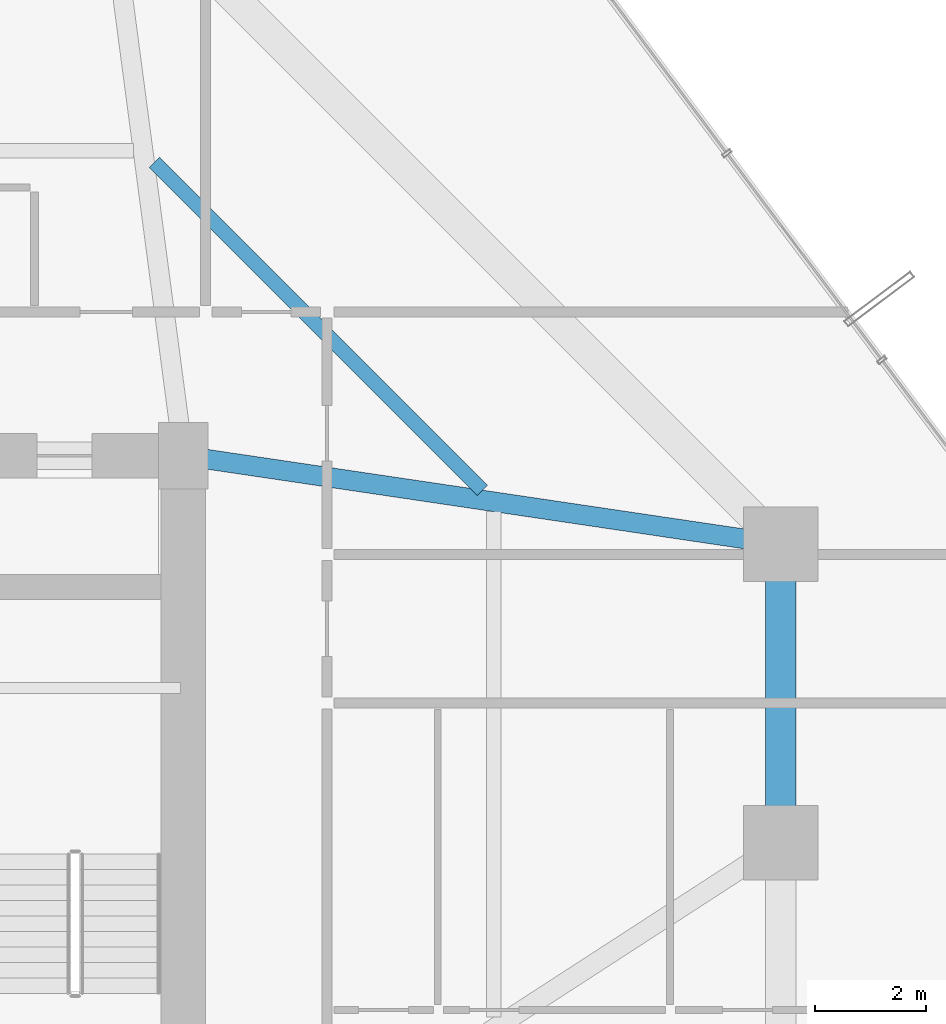
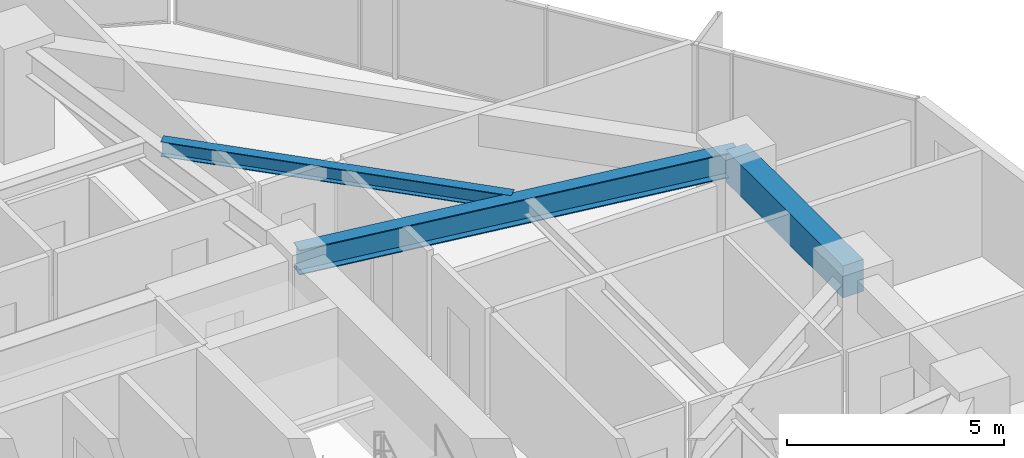
# One storey, part 19 of 37: 3 beams.
"""IFC4 building model written with IfcOpenShell, lengths in metres."""

from ifc_helpers import new_model, si_unit, direction, frame, origin, origin_2d, place, context, subcontext, project, spatial, rectangle, i_section, extrude, material, material_profile, profile_set, type_object, element, save


model = new_model("IFC4")

# Units and contexts
model_context = context("Model", 3, precision=1e-05, world=origin(), true_north=direction((0.0, 1.0)))
body_context = subcontext(model_context, "Body", "Model", "MODEL_VIEW")
ifc_project = project(units=[si_unit("LENGTHUNIT", "METRE"), si_unit("AREAUNIT", "SQUARE_METRE"), si_unit("VOLUMEUNIT", "CUBIC_METRE"), si_unit("PLANEANGLEUNIT", "RADIAN"), si_unit("MASSUNIT", "GRAM", prefix="KILO")], contexts=[model_context])

# Site, building, storey
site_placement = place(None, origin())
site = spatial("IfcSite", under=ifc_project, at=site_placement, CompositionType="ELEMENT")
building_placement = place(site_placement, origin())
building = spatial("IfcBuilding", under=site, at=building_placement, Name="Veraguas Prism Commons", CompositionType="ELEMENT")
storey_placement = place(building_placement, frame((0.0, 0.0, 46.800048828125)))
storey = spatial("IfcBuildingStorey", under=building, at=storey_placement, Name="L12", CompositionType="ELEMENT", Elevation=46.800048828125)

# Beams
ifc_material_1 = material(Name="Steel ASTM A992 Grade 50", Category="steel")
ifc_material_profile_1 = material_profile(ifc_material_1, i_section(OverallWidth=0.260986328125, OverallDepth=0.419921875, WebThickness=0.01171875, FlangeThickness=0.019287109375, at=origin_2d()), Name="W410X114")
ifc_profile_set_1 = profile_set([ifc_material_profile_1], Name="Steel ASTM A992 Grade 50")
beam_type_1 = type_object("IfcBeamType", Name="Lower Floor Joist W410x114", PredefinedType="JOIST", material=ifc_profile_set_1)
beam_1_placement = place(storey_placement, frame((36.20703125, 30.376953125, 2.7900390625), z_axis=(-0.707092226423, 0.70712133565, 0.0), x_axis=(-0.70712133565, -0.707092226423, 0.0)))
element("IfcBeam", 1, at=beam_1_placement, inside=storey, type_object=beam_type_1, Name="Composite Floor Joist L12-JS03", PredefinedType="JOIST", context=body_context, shape_type="SweptSolid", body=[
    extrude(i_section(OverallWidth=0.260986328125, OverallDepth=0.419921875, WebThickness=0.01171875, FlangeThickness=0.019287109375, at=origin_2d()), origin(), (0.0, 0.0, 1.0), 8.386962890625),
])
ifc_material_2 = material(Name="Concrete C50/60", Category="concrete")
ifc_material_profile_2 = material_profile(ifc_material_2, rectangle(XDim=0.550048828125, YDim=0.89990234375, at=origin_2d()), Name="RC550X900")
ifc_profile_set_2 = profile_set([ifc_material_profile_2], Name="Concrete C50/60")
beam_type_2 = type_object("IfcBeamType", Name="Perimeter Spandrel Lower RC 550x900", PredefinedType="SPANDREL", material=ifc_profile_set_2)
beam_2_placement = place(storey_placement, frame((41.60009765625, 24.0, 2.550048828125), z_axis=(0.0, 1.0, 0.0), x_axis=(-1.0, 0.0, 0.0)))
element("IfcBeam", 2, at=beam_2_placement, inside=storey, type_object=beam_type_2, Name="Perimeter Spandrel Beam L12-SP02", PredefinedType="SPANDREL", context=body_context, shape_type="SweptSolid", body=[
    extrude(rectangle(XDim=0.550048828125, YDim=0.89990234375, at=origin_2d()), origin(), (0.0, 0.0, 1.0), 5.39990234375),
])
ifc_material_profile_3 = material_profile(ifc_material_1, i_section(OverallWidth=0.35595703125, OverallDepth=0.700927734375, WebThickness=0.016845703125, FlangeThickness=0.02734375, at=origin_2d()), Name="W690X240")
ifc_profile_set_3 = profile_set([ifc_material_profile_3], Name="Steel ASTM A992 Grade 50")
beam_type_3 = type_object("IfcBeamType", Name="Zone 1 Radial Girder W690x240", PredefinedType="BEAM", material=ifc_profile_set_3)
beam_3_placement = place(storey_placement, frame((41.60009765625, 29.39990234375, 2.6494140625), z_axis=(-0.989202261707, 0.146556765224, 0.0), x_axis=(-0.146556765224, -0.989202261707, 0.0)))
element("IfcBeam", 3, at=beam_3_placement, inside=storey, type_object=beam_type_3, Name="Radial Floor Girder L12-RD03", PredefinedType="BEAM", context=body_context, shape_type="SweptSolid", body=[
    extrude(i_section(OverallWidth=0.35595703125, OverallDepth=0.700927734375, WebThickness=0.016845703125, FlangeThickness=0.02734375, at=origin_2d()), origin(), (0.0, 0.0, 1.0), 10.91796875),
])

save(model, "model.ifc")
